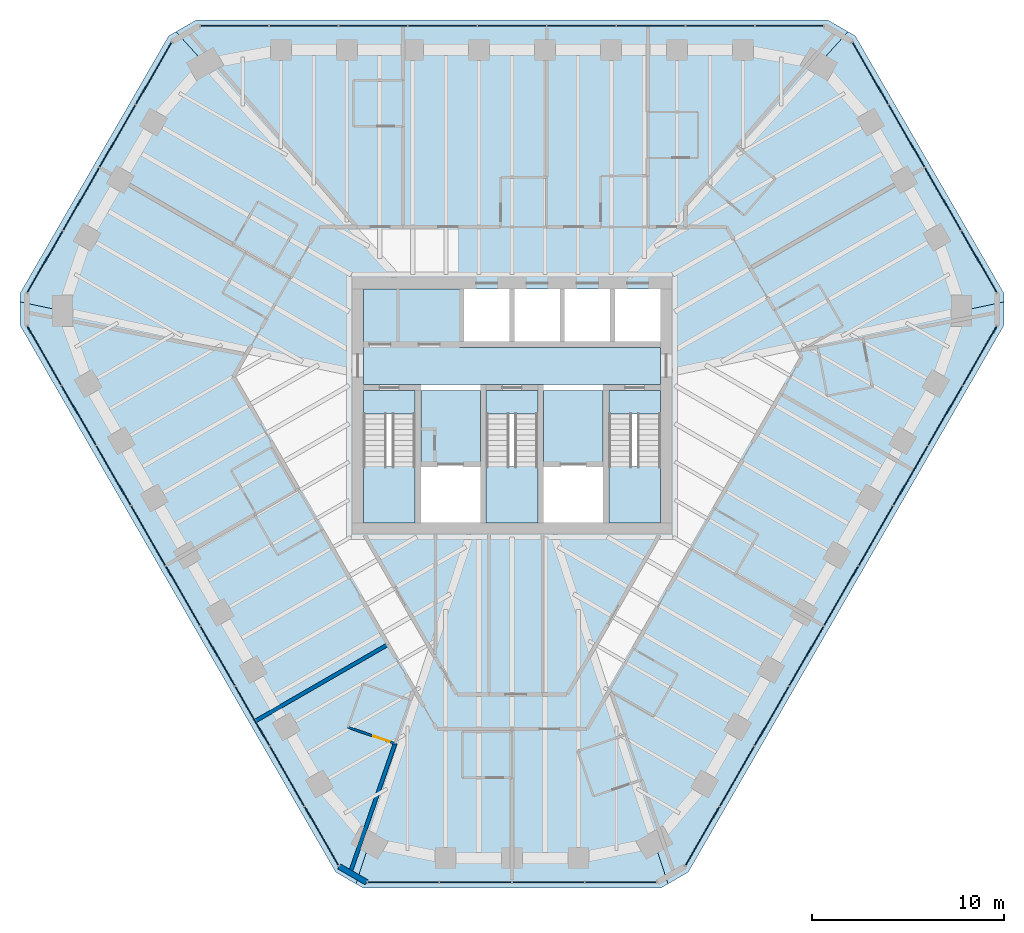
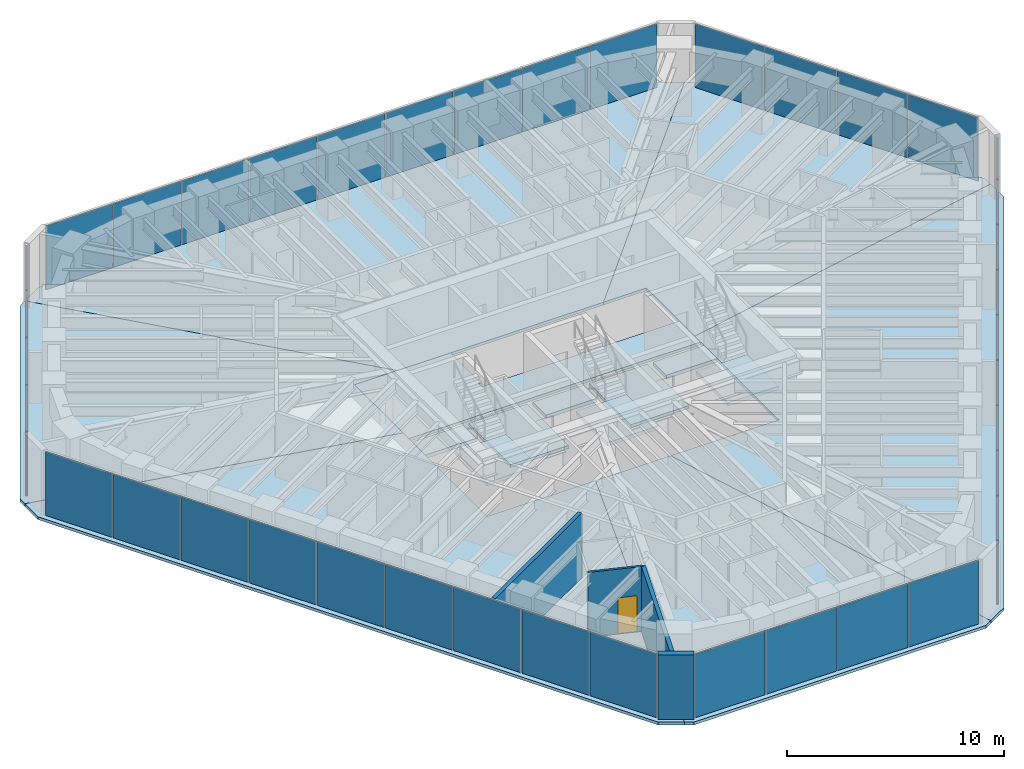
# One storey, part 8 of 14: 39 plates, 15 slabs, 4 walls, 1 door, 1 opening, 9 elements without a shape of their own.
"""IFC4 building model written with IfcOpenShell, lengths in metres."""

from ifc_helpers import new_model, si_unit, direction, frame, frame_2d, origin, origin_2d, place, context, subcontext, project, spatial, polyline, rectangle, outline, extrude, material, layer, layer_set, type_object, element, fill, aggregate, save


model = new_model("IFC4")

# Units and contexts
model_context = context("Model", 3, precision=1e-05, world=origin(), true_north=direction((0.0, 1.0)))
body_context = subcontext(model_context, "Body", "Model", "MODEL_VIEW")
ifc_project = project(units=[si_unit("LENGTHUNIT", "METRE"), si_unit("AREAUNIT", "SQUARE_METRE"), si_unit("VOLUMEUNIT", "CUBIC_METRE"), si_unit("PLANEANGLEUNIT", "RADIAN"), si_unit("MASSUNIT", "GRAM", prefix="KILO")], contexts=[model_context])

# Site, building, storey
site_placement = place(None, origin())
site = spatial("IfcSite", under=ifc_project, at=site_placement, CompositionType="ELEMENT")
building_placement = place(site_placement, origin())
building = spatial("IfcBuilding", under=site, at=building_placement, Name="Sandreach Pilgrim Tower", CompositionType="ELEMENT")
storey_placement = place(building_placement, frame((0.0, 0.0, 272.199951171875)))
storey = spatial("IfcBuildingStorey", under=building, at=storey_placement, Name="L68", CompositionType="ELEMENT", Elevation=272.199951171875)

# Curtain wall, plates
ifc_material_1 = material(Name="Aluminium framed curtain wall", Category="aluminium")
curtain_wall_type = type_object("IfcCurtainWallType", Name="Suite tower curtain wall", PredefinedType="NOTDEFINED", material=ifc_material_1)
curtain_wall_1_placement = place(storey_placement, origin())
curtain_wall_1 = element("IfcCurtainWall", 1, at=curtain_wall_1_placement, inside=storey, type_object=curtain_wall_type, Name="CW-4 L68 N", PredefinedType="NOTDEFINED")
ifc_material_2 = material(Name="Insulating glass unit 16.76 laminated + 24 argon + 16.76 laminated", Category="glass")
ifc_layer_1 = layer(ifc_material_2, 0.05810546875)
ifc_layer_set_1 = layer_set([ifc_layer_1], Name="CW-4 panel")
plate_type = type_object("IfcPlateType", Name="CW-4 panel", PredefinedType="CURTAIN_PANEL", material=ifc_layer_set_1)
plate_1_placement = place(storey_placement, frame((-14.472412109375, 19.826416015625, 0.0), z_axis=(0.0, 0.0, 1.0), x_axis=(1.0, 0.0, 0.0)))
plate_1 = element("IfcPlate", 2, at=plate_1_placement, type_object=plate_type, Name="CW-4 panel 1", PredefinedType="CURTAIN_PANEL", context=body_context, shape_type="SweptSolid", body=[
    extrude(rectangle(XDim=3.531982421875, YDim=0.05810546875, at=origin_2d()), origin(), (0.0, 0.0, 1.0), 3.570068359375),
])
plate_2_placement = place(storey_placement, frame((-10.865478515625, 19.826416015625, 0.0), z_axis=(0.0, 0.0, 1.0), x_axis=(1.0, 0.0, 0.0)))
plate_2 = element("IfcPlate", 3, at=plate_2_placement, type_object=plate_type, Name="CW-4 panel 2", PredefinedType="CURTAIN_PANEL", context=body_context, shape_type="SweptSolid", body=[
    extrude(rectangle(XDim=3.561767578125, YDim=0.05810546875, at=origin_2d()), origin(), (0.0, 0.0, 1.0), 3.570068359375),
])
plate_3_placement = place(storey_placement, frame((-7.24365234375, 19.826416015625, 0.0), z_axis=(0.0, 0.0, 1.0), x_axis=(1.0, 0.0, 0.0)))
plate_3 = element("IfcPlate", 4, at=plate_3_placement, type_object=plate_type, Name="CW-4 panel 3", PredefinedType="CURTAIN_PANEL", context=body_context, shape_type="SweptSolid", body=[
    extrude(rectangle(XDim=3.561767578125, YDim=0.05810546875, at=origin_2d()), origin(), (0.0, 0.0, 1.0), 3.570068359375),
])
plate_4_placement = place(storey_placement, frame((-3.621826171875, 19.826416015625, 0.0), z_axis=(0.0, 0.0, 1.0), x_axis=(1.0, 0.0, 0.0)))
plate_4 = element("IfcPlate", 5, at=plate_4_placement, type_object=plate_type, Name="CW-4 panel 4", PredefinedType="CURTAIN_PANEL", context=body_context, shape_type="SweptSolid", body=[
    extrude(rectangle(XDim=3.561767578125, YDim=0.05810546875, at=origin_2d()), origin(), (0.0, 0.0, 1.0), 3.570068359375),
])
plate_5_placement = place(storey_placement, frame((0.0, 19.826416015625, 0.0), z_axis=(0.0, 0.0, 1.0), x_axis=(1.0, 0.0, 0.0)))
plate_5 = element("IfcPlate", 6, at=plate_5_placement, type_object=plate_type, Name="CW-4 panel 5", PredefinedType="CURTAIN_PANEL", context=body_context, shape_type="SweptSolid", body=[
    extrude(rectangle(XDim=3.561767578125, YDim=0.05810546875, at=origin_2d()), origin(), (0.0, 0.0, 1.0), 3.570068359375),
])
plate_6_placement = place(storey_placement, frame((3.621826171875, 19.826416015625, 0.0), z_axis=(0.0, 0.0, 1.0), x_axis=(1.0, 0.0, 0.0)))
plate_6 = element("IfcPlate", 7, at=plate_6_placement, type_object=plate_type, Name="CW-4 panel 6", PredefinedType="CURTAIN_PANEL", context=body_context, shape_type="SweptSolid", body=[
    extrude(rectangle(XDim=3.561767578125, YDim=0.05810546875, at=origin_2d()), origin(), (0.0, 0.0, 1.0), 3.570068359375),
])
plate_7_placement = place(storey_placement, frame((7.24365234375, 19.826416015625, 0.0), z_axis=(0.0, 0.0, 1.0), x_axis=(1.0, 0.0, 0.0)))
plate_7 = element("IfcPlate", 8, at=plate_7_placement, type_object=plate_type, Name="CW-4 panel 7", PredefinedType="CURTAIN_PANEL", context=body_context, shape_type="SweptSolid", body=[
    extrude(rectangle(XDim=3.561767578125, YDim=0.05810546875, at=origin_2d()), origin(), (0.0, 0.0, 1.0), 3.570068359375),
])
plate_8_placement = place(storey_placement, frame((10.865478515625, 19.826416015625, 0.0), z_axis=(0.0, 0.0, 1.0), x_axis=(1.0, 0.0, 0.0)))
plate_8 = element("IfcPlate", 9, at=plate_8_placement, type_object=plate_type, Name="CW-4 panel 8", PredefinedType="CURTAIN_PANEL", context=body_context, shape_type="SweptSolid", body=[
    extrude(rectangle(XDim=3.561767578125, YDim=0.05810546875, at=origin_2d()), origin(), (0.0, 0.0, 1.0), 3.570068359375),
])
plate_9_placement = place(storey_placement, frame((14.472412109375, 19.826416015625, 0.0), z_axis=(0.0, 0.0, 1.0), x_axis=(1.0, 0.0, 0.0)))
plate_9 = element("IfcPlate", 10, at=plate_9_placement, type_object=plate_type, Name="CW-4 panel 9", PredefinedType="CURTAIN_PANEL", context=body_context, shape_type="SweptSolid", body=[
    extrude(rectangle(XDim=3.531982421875, YDim=0.05810546875, at=origin_2d()), origin(), (0.0, 0.0, 1.0), 3.570068359375),
])
aggregate(curtain_wall_1, [plate_1, plate_2, plate_3, plate_4, plate_5, plate_6, plate_7, plate_8, plate_9])

curtain_wall_2_placement = place(storey_placement, origin())
curtain_wall_2 = element("IfcCurtainWall", 11, at=curtain_wall_2_placement, inside=storey, type_object=curtain_wall_type, Name="CW-4 L68 NE", PredefinedType="NOTDEFINED")
plate_10_placement = place(storey_placement, frame((18.69140625, 17.341552734375, 0.0), z_axis=(0.0, 0.0, 1.0), x_axis=(0.5, -0.866025403784, 0.0)))
plate_10 = element("IfcPlate", 12, at=plate_10_placement, type_object=plate_type, Name="CW-4 panel 1", PredefinedType="CURTAIN_PANEL", context=body_context, shape_type="SweptSolid", body=[
    extrude(rectangle(XDim=3.70166015625, YDim=0.05810546875, at=origin_2d()), origin(), (0.0, 0.0, 1.0), 3.570068359375),
])
plate_11_placement = place(storey_placement, frame((20.579833984375, 14.07080078125, 0.0), z_axis=(0.0, 0.0, 1.0), x_axis=(0.5, -0.866025403784, 0.0)))
plate_11 = element("IfcPlate", 13, at=plate_11_placement, type_object=plate_type, Name="CW-4 panel 2", PredefinedType="CURTAIN_PANEL", context=body_context, shape_type="SweptSolid", body=[
    extrude(rectangle(XDim=3.731689453125, YDim=0.05810546875, at=origin_2d()), origin(), (0.0, 0.0, 1.0), 3.570068359375),
])
plate_12_placement = place(storey_placement, frame((22.4755859375, 10.787109375, 0.0), z_axis=(0.0, 0.0, 1.0), x_axis=(0.5, -0.866025403784, 0.0)))
plate_12 = element("IfcPlate", 14, at=plate_12_placement, type_object=plate_type, Name="CW-4 panel 3", PredefinedType="CURTAIN_PANEL", context=body_context, shape_type="SweptSolid", body=[
    extrude(rectangle(XDim=3.731689453125, YDim=0.05810546875, at=origin_2d()), origin(), (0.0, 0.0, 1.0), 3.570068359375),
])
plate_13_placement = place(storey_placement, frame((24.364013671875, 7.516357421875, 0.0), z_axis=(0.0, 0.0, 1.0), x_axis=(0.5, -0.866025403784, 0.0)))
plate_13 = element("IfcPlate", 15, at=plate_13_placement, type_object=plate_type, Name="CW-4 panel 4", PredefinedType="CURTAIN_PANEL", context=body_context, shape_type="SweptSolid", body=[
    extrude(rectangle(XDim=3.70166015625, YDim=0.05810546875, at=origin_2d()), origin(), (0.0, 0.0, 1.0), 3.570068359375),
])
aggregate(curtain_wall_2, [plate_10, plate_11, plate_12, plate_13])

curtain_wall_3_placement = place(storey_placement, origin())
curtain_wall_3 = element("IfcCurtainWall", 16, at=curtain_wall_3_placement, inside=storey, type_object=curtain_wall_type, Name="CW-4 L68 SE", PredefinedType="NOTDEFINED")
plate_14_placement = place(storey_placement, frame((24.406494140625, 2.620361328125, 0.0), z_axis=(0.0, 0.0, 1.0), x_axis=(-0.5, -0.866025403784, 0.0)))
plate_14 = element("IfcPlate", 17, at=plate_14_placement, type_object=plate_type, Name="CW-4 panel 1", PredefinedType="CURTAIN_PANEL", context=body_context, shape_type="SweptSolid", body=[
    extrude(rectangle(XDim=3.531982421875, YDim=0.05810546875, at=origin_2d()), origin(), (0.0, 0.0, 1.0), 3.570068359375),
])
plate_15_placement = place(storey_placement, frame((22.60302734375, -0.50341796875, 0.0), z_axis=(0.0, 0.0, 1.0), x_axis=(-0.5, -0.866025403784, 0.0)))
plate_15 = element("IfcPlate", 18, at=plate_15_placement, type_object=plate_type, Name="CW-4 panel 2", PredefinedType="CURTAIN_PANEL", context=body_context, shape_type="SweptSolid", body=[
    extrude(rectangle(XDim=3.561767578125, YDim=0.05810546875, at=origin_2d()), origin(), (0.0, 0.0, 1.0), 3.570068359375),
])
plate_16_placement = place(storey_placement, frame((20.7919921875, -3.639892578125, 0.0), z_axis=(0.0, 0.0, 1.0), x_axis=(-0.5, -0.866025403784, 0.0)))
plate_16 = element("IfcPlate", 19, at=plate_16_placement, type_object=plate_type, Name="CW-4 panel 3", PredefinedType="CURTAIN_PANEL", context=body_context, shape_type="SweptSolid", body=[
    extrude(rectangle(XDim=3.561767578125, YDim=0.05810546875, at=origin_2d()), origin(), (0.0, 0.0, 1.0), 3.570068359375),
])
plate_17_placement = place(storey_placement, frame((18.981201171875, -6.776611328125, 0.0), z_axis=(0.0, 0.0, 1.0), x_axis=(-0.5, -0.866025403784, 0.0)))
plate_17 = element("IfcPlate", 20, at=plate_17_placement, type_object=plate_type, Name="CW-4 panel 4", PredefinedType="CURTAIN_PANEL", context=body_context, shape_type="SweptSolid", body=[
    extrude(rectangle(XDim=3.561767578125, YDim=0.05810546875, at=origin_2d()), origin(), (0.0, 0.0, 1.0), 3.570068359375),
])
plate_18_placement = place(storey_placement, frame((17.170166015625, -9.913330078125, 0.0), z_axis=(0.0, 0.0, 1.0), x_axis=(-0.5, -0.866025403784, 0.0)))
plate_18 = element("IfcPlate", 21, at=plate_18_placement, type_object=plate_type, Name="CW-4 panel 5", PredefinedType="CURTAIN_PANEL", context=body_context, shape_type="SweptSolid", body=[
    extrude(rectangle(XDim=3.561767578125, YDim=0.05810546875, at=origin_2d()), origin(), (0.0, 0.0, 1.0), 3.570068359375),
])
plate_19_placement = place(storey_placement, frame((15.359375, -13.0498046875, 0.0), z_axis=(0.0, 0.0, 1.0), x_axis=(-0.5, -0.866025403784, 0.0)))
plate_19 = element("IfcPlate", 22, at=plate_19_placement, type_object=plate_type, Name="CW-4 panel 6", PredefinedType="CURTAIN_PANEL", context=body_context, shape_type="SweptSolid", body=[
    extrude(rectangle(XDim=3.561767578125, YDim=0.05810546875, at=origin_2d()), origin(), (0.0, 0.0, 1.0), 3.570068359375),
])
plate_20_placement = place(storey_placement, frame((13.54833984375, -16.1865234375, 0.0), z_axis=(0.0, 0.0, 1.0), x_axis=(-0.5, -0.866025403784, 0.0)))
plate_20 = element("IfcPlate", 23, at=plate_20_placement, type_object=plate_type, Name="CW-4 panel 7", PredefinedType="CURTAIN_PANEL", context=body_context, shape_type="SweptSolid", body=[
    extrude(rectangle(XDim=3.561767578125, YDim=0.05810546875, at=origin_2d()), origin(), (0.0, 0.0, 1.0), 3.570068359375),
])
plate_21_placement = place(storey_placement, frame((11.7373046875, -19.322998046875, 0.0), z_axis=(0.0, 0.0, 1.0), x_axis=(-0.5, -0.866025403784, 0.0)))
plate_21 = element("IfcPlate", 24, at=plate_21_placement, type_object=plate_type, Name="CW-4 panel 8", PredefinedType="CURTAIN_PANEL", context=body_context, shape_type="SweptSolid", body=[
    extrude(rectangle(XDim=3.561767578125, YDim=0.05810546875, at=origin_2d()), origin(), (0.0, 0.0, 1.0), 3.570068359375),
])
plate_22_placement = place(storey_placement, frame((9.93408203125, -22.44677734375, 0.0), z_axis=(0.0, 0.0, 1.0), x_axis=(-0.5, -0.866025403784, 0.0)))
plate_22 = element("IfcPlate", 25, at=plate_22_placement, type_object=plate_type, Name="CW-4 panel 9", PredefinedType="CURTAIN_PANEL", context=body_context, shape_type="SweptSolid", body=[
    extrude(rectangle(XDim=3.531982421875, YDim=0.05810546875, at=origin_2d()), origin(), (0.0, 0.0, 1.0), 3.570068359375),
])
aggregate(curtain_wall_3, [plate_14, plate_15, plate_16, plate_17, plate_18, plate_19, plate_20, plate_21, plate_22])

curtain_wall_4_placement = place(storey_placement, origin())
curtain_wall_4 = element("IfcCurtainWall", 26, at=curtain_wall_4_placement, inside=storey, type_object=curtain_wall_type, Name="CW-4 L68 S", PredefinedType="NOTDEFINED")
plate_23_placement = place(storey_placement, frame((5.672607421875, -24.858154296875, 0.0), z_axis=(0.0, 0.0, 1.0), x_axis=(-1.0, 0.0, 0.0)))
plate_23 = element("IfcPlate", 27, at=plate_23_placement, type_object=plate_type, Name="CW-4 panel 1", PredefinedType="CURTAIN_PANEL", context=body_context, shape_type="SweptSolid", body=[
    extrude(rectangle(XDim=3.70166015625, YDim=0.05810546875, at=origin_2d()), origin(), (0.0, 0.0, 1.0), 3.570068359375),
])
plate_24_placement = place(storey_placement, frame((1.895751953125, -24.858154296875, 0.0), z_axis=(0.0, 0.0, 1.0), x_axis=(-1.0, 0.0, 0.0)))
plate_24 = element("IfcPlate", 28, at=plate_24_placement, type_object=plate_type, Name="CW-4 panel 2", PredefinedType="CURTAIN_PANEL", context=body_context, shape_type="SweptSolid", body=[
    extrude(rectangle(XDim=3.731689453125, YDim=0.05810546875, at=origin_2d()), origin(), (0.0, 0.0, 1.0), 3.570068359375),
])
plate_25_placement = place(storey_placement, frame((-1.895751953125, -24.858154296875, 0.0), z_axis=(0.0, 0.0, 1.0), x_axis=(-1.0, 0.0, 0.0)))
plate_25 = element("IfcPlate", 29, at=plate_25_placement, type_object=plate_type, Name="CW-4 panel 3", PredefinedType="CURTAIN_PANEL", context=body_context, shape_type="SweptSolid", body=[
    extrude(rectangle(XDim=3.731689453125, YDim=0.05810546875, at=origin_2d()), origin(), (0.0, 0.0, 1.0), 3.570068359375),
])
plate_26_placement = place(storey_placement, frame((-5.672607421875, -24.858154296875, 0.0), z_axis=(0.0, 0.0, 1.0), x_axis=(-1.0, 0.0, 0.0)))
plate_26 = element("IfcPlate", 30, at=plate_26_placement, type_object=plate_type, Name="CW-4 panel 4", PredefinedType="CURTAIN_PANEL", context=body_context, shape_type="SweptSolid", body=[
    extrude(rectangle(XDim=3.70166015625, YDim=0.05810546875, at=origin_2d()), origin(), (0.0, 0.0, 1.0), 3.570068359375),
])
aggregate(curtain_wall_4, [plate_23, plate_24, plate_25, plate_26])

curtain_wall_5_placement = place(storey_placement, origin())
curtain_wall_5 = element("IfcCurtainWall", 31, at=curtain_wall_5_placement, inside=storey, type_object=curtain_wall_type, Name="CW-4 L68 SW", PredefinedType="NOTDEFINED")
plate_27_placement = place(storey_placement, frame((-9.93408203125, -22.44677734375, 0.0), z_axis=(0.0, 0.0, 1.0), x_axis=(-0.5, 0.866025403784, 0.0)))
plate_27 = element("IfcPlate", 32, at=plate_27_placement, type_object=plate_type, Name="CW-4 panel 1", PredefinedType="CURTAIN_PANEL", context=body_context, shape_type="SweptSolid", body=[
    extrude(rectangle(XDim=3.531982421875, YDim=0.05810546875, at=origin_2d()), origin(), (0.0, 0.0, 1.0), 3.570068359375),
])
plate_28_placement = place(storey_placement, frame((-11.7373046875, -19.322998046875, 0.0), z_axis=(0.0, 0.0, 1.0), x_axis=(-0.5, 0.866025403784, 0.0)))
plate_28 = element("IfcPlate", 33, at=plate_28_placement, type_object=plate_type, Name="CW-4 panel 2", PredefinedType="CURTAIN_PANEL", context=body_context, shape_type="SweptSolid", body=[
    extrude(rectangle(XDim=3.561767578125, YDim=0.05810546875, at=origin_2d()), origin(), (0.0, 0.0, 1.0), 3.570068359375),
])
plate_29_placement = place(storey_placement, frame((-13.54833984375, -16.1865234375, 0.0), z_axis=(0.0, 0.0, 1.0), x_axis=(-0.5, 0.866025403784, 0.0)))
plate_29 = element("IfcPlate", 34, at=plate_29_placement, type_object=plate_type, Name="CW-4 panel 3", PredefinedType="CURTAIN_PANEL", context=body_context, shape_type="SweptSolid", body=[
    extrude(rectangle(XDim=3.561767578125, YDim=0.05810546875, at=origin_2d()), origin(), (0.0, 0.0, 1.0), 3.570068359375),
])
plate_30_placement = place(storey_placement, frame((-15.359375, -13.0498046875, 0.0), z_axis=(0.0, 0.0, 1.0), x_axis=(-0.5, 0.866025403784, 0.0)))
plate_30 = element("IfcPlate", 35, at=plate_30_placement, type_object=plate_type, Name="CW-4 panel 4", PredefinedType="CURTAIN_PANEL", context=body_context, shape_type="SweptSolid", body=[
    extrude(rectangle(XDim=3.561767578125, YDim=0.05810546875, at=origin_2d()), origin(), (0.0, 0.0, 1.0), 3.570068359375),
])
plate_31_placement = place(storey_placement, frame((-17.170166015625, -9.913330078125, 0.0), z_axis=(0.0, 0.0, 1.0), x_axis=(-0.5, 0.866025403784, 0.0)))
plate_31 = element("IfcPlate", 36, at=plate_31_placement, type_object=plate_type, Name="CW-4 panel 5", PredefinedType="CURTAIN_PANEL", context=body_context, shape_type="SweptSolid", body=[
    extrude(rectangle(XDim=3.561767578125, YDim=0.05810546875, at=origin_2d()), origin(), (0.0, 0.0, 1.0), 3.570068359375),
])
plate_32_placement = place(storey_placement, frame((-18.981201171875, -6.776611328125, 0.0), z_axis=(0.0, 0.0, 1.0), x_axis=(-0.5, 0.866025403784, 0.0)))
plate_32 = element("IfcPlate", 37, at=plate_32_placement, type_object=plate_type, Name="CW-4 panel 6", PredefinedType="CURTAIN_PANEL", context=body_context, shape_type="SweptSolid", body=[
    extrude(rectangle(XDim=3.561767578125, YDim=0.05810546875, at=origin_2d()), origin(), (0.0, 0.0, 1.0), 3.570068359375),
])
plate_33_placement = place(storey_placement, frame((-20.7919921875, -3.639892578125, 0.0), z_axis=(0.0, 0.0, 1.0), x_axis=(-0.5, 0.866025403784, 0.0)))
plate_33 = element("IfcPlate", 38, at=plate_33_placement, type_object=plate_type, Name="CW-4 panel 7", PredefinedType="CURTAIN_PANEL", context=body_context, shape_type="SweptSolid", body=[
    extrude(rectangle(XDim=3.561767578125, YDim=0.05810546875, at=origin_2d()), origin(), (0.0, 0.0, 1.0), 3.570068359375),
])
plate_34_placement = place(storey_placement, frame((-22.60302734375, -0.50341796875, 0.0), z_axis=(0.0, 0.0, 1.0), x_axis=(-0.5, 0.866025403784, 0.0)))
plate_34 = element("IfcPlate", 39, at=plate_34_placement, type_object=plate_type, Name="CW-4 panel 8", PredefinedType="CURTAIN_PANEL", context=body_context, shape_type="SweptSolid", body=[
    extrude(rectangle(XDim=3.561767578125, YDim=0.05810546875, at=origin_2d()), origin(), (0.0, 0.0, 1.0), 3.570068359375),
])
plate_35_placement = place(storey_placement, frame((-24.406494140625, 2.620361328125, 0.0), z_axis=(0.0, 0.0, 1.0), x_axis=(-0.5, 0.866025403784, 0.0)))
plate_35 = element("IfcPlate", 40, at=plate_35_placement, type_object=plate_type, Name="CW-4 panel 9", PredefinedType="CURTAIN_PANEL", context=body_context, shape_type="SweptSolid", body=[
    extrude(rectangle(XDim=3.531982421875, YDim=0.05810546875, at=origin_2d()), origin(), (0.0, 0.0, 1.0), 3.570068359375),
])
aggregate(curtain_wall_5, [plate_27, plate_28, plate_29, plate_30, plate_31, plate_32, plate_33, plate_34, plate_35])

curtain_wall_6_placement = place(storey_placement, origin())
curtain_wall_6 = element("IfcCurtainWall", 41, at=curtain_wall_6_placement, inside=storey, type_object=curtain_wall_type, Name="CW-4 L68 NW", PredefinedType="NOTDEFINED")
plate_36_placement = place(storey_placement, frame((-24.364013671875, 7.516357421875, 0.0), z_axis=(0.0, 0.0, 1.0), x_axis=(0.5, 0.866025403784, 0.0)))
plate_36 = element("IfcPlate", 42, at=plate_36_placement, type_object=plate_type, Name="CW-4 panel 1", PredefinedType="CURTAIN_PANEL", context=body_context, shape_type="SweptSolid", body=[
    extrude(rectangle(XDim=3.70166015625, YDim=0.05810546875, at=origin_2d()), origin(), (0.0, 0.0, 1.0), 3.570068359375),
])
plate_37_placement = place(storey_placement, frame((-22.4755859375, 10.787109375, 0.0), z_axis=(0.0, 0.0, 1.0), x_axis=(0.5, 0.866025403784, 0.0)))
plate_37 = element("IfcPlate", 43, at=plate_37_placement, type_object=plate_type, Name="CW-4 panel 2", PredefinedType="CURTAIN_PANEL", context=body_context, shape_type="SweptSolid", body=[
    extrude(rectangle(XDim=3.731689453125, YDim=0.05810546875, at=origin_2d()), origin(), (0.0, 0.0, 1.0), 3.570068359375),
])
plate_38_placement = place(storey_placement, frame((-20.579833984375, 14.07080078125, 0.0), z_axis=(0.0, 0.0, 1.0), x_axis=(0.5, 0.866025403784, 0.0)))
plate_38 = element("IfcPlate", 44, at=plate_38_placement, type_object=plate_type, Name="CW-4 panel 3", PredefinedType="CURTAIN_PANEL", context=body_context, shape_type="SweptSolid", body=[
    extrude(rectangle(XDim=3.731689453125, YDim=0.05810546875, at=origin_2d()), origin(), (0.0, 0.0, 1.0), 3.570068359375),
])
plate_39_placement = place(storey_placement, frame((-18.69140625, 17.341552734375, 0.0), z_axis=(0.0, 0.0, 1.0), x_axis=(0.5, 0.866025403784, 0.0)))
plate_39 = element("IfcPlate", 45, at=plate_39_placement, type_object=plate_type, Name="CW-4 panel 4", PredefinedType="CURTAIN_PANEL", context=body_context, shape_type="SweptSolid", body=[
    extrude(rectangle(XDim=3.70166015625, YDim=0.05810546875, at=origin_2d()), origin(), (0.0, 0.0, 1.0), 3.570068359375),
])
aggregate(curtain_wall_6, [plate_36, plate_37, plate_38, plate_39])

# Slabs
ifc_material_3 = material(Name="Concrete 8000 psi", Category="concrete")
ifc_layer_2 = layer(ifc_material_3, 0.159912109375)
ifc_layer_set_2 = layer_set([ifc_layer_2], Name="Composite floor slab 160")
slab_type_1 = type_object("IfcSlabType", Name="Composite floor slab 160", PredefinedType="FLOOR", material=ifc_layer_set_2)
slab_1_placement = place(storey_placement, frame((0.0, 0.0, -0.159912109375)))
element("IfcSlab", 46, at=slab_1_placement, inside=storey, type_object=slab_type_1, Name="Floor slab L68 N sector", PredefinedType="FLOOR", context=body_context, shape_type="SweptSolid", body=[
    extrude(outline(polyline([(-16.4716796875, 20.12646484375), (16.4716796875, 20.12646484375), (17.52587890625, 19.517822265625), (5.477294921875, 6.10009765625), (-5.477294921875, 6.10009765625), (-17.52587890625, 19.517822265625), (-16.4716796875, 20.12646484375)])), origin(), (0.0, 0.0, 1.0), 0.159912109375),
])
slab_2_placement = place(storey_placement, frame((0.0, 0.0, -0.159912109375)))
element("IfcSlab", 47, at=slab_2_placement, inside=storey, type_object=slab_type_1, Name="Floor slab L68 NE sector", PredefinedType="FLOOR", context=body_context, shape_type="SweptSolid", body=[
    extrude(outline(polyline([(17.9091796875, 19.29638671875), (25.665771484375, 5.861572265625), (25.665771484375, 5.4189453125), (7.75, 1.63623046875), (7.75, 6.10009765625), (5.477294921875, 6.10009765625), (17.52587890625, 19.517822265625), (17.9091796875, 19.29638671875)])), origin(), (0.0, 0.0, 1.0), 0.159912109375),
])
slab_3_placement = place(storey_placement, frame((0.0, 0.0, -0.159912109375)))
element("IfcSlab", 48, at=slab_3_placement, inside=storey, type_object=slab_type_1, Name="Floor slab L68 SE sector", PredefinedType="FLOOR", context=body_context, shape_type="SweptSolid", body=[
    extrude(outline(polyline([(25.665771484375, 4.20166015625), (9.194091796875, -24.327880859375), (8.139892578125, -24.936767578125), (1.9912109375, -6.10009765625), (7.75, -6.10009765625), (7.75, 1.63623046875), (25.665771484375, 5.4189453125), (25.665771484375, 4.20166015625)])), origin(), (0.0, 0.0, 1.0), 0.159912109375),
])
slab_4_placement = place(storey_placement, frame((0.0, 0.0, -0.159912109375)))
element("IfcSlab", 49, at=slab_4_placement, inside=storey, type_object=slab_type_1, Name="Floor slab L68 S sector", PredefinedType="FLOOR", context=body_context, shape_type="SweptSolid", body=[
    extrude(outline(polyline([(7.756591796875, -25.157958984375), (-7.756591796875, -25.157958984375), (-8.139892578125, -24.936767578125), (-1.9912109375, -6.10009765625), (1.9912109375, -6.10009765625), (8.139892578125, -24.936767578125), (7.756591796875, -25.157958984375)])), origin(), (0.0, 0.0, 1.0), 0.159912109375),
])
slab_5_placement = place(storey_placement, frame((0.0, 0.0, -0.159912109375)))
element("IfcSlab", 50, at=slab_5_placement, inside=storey, type_object=slab_type_1, Name="Floor slab L68 SW sector", PredefinedType="FLOOR", context=body_context, shape_type="SweptSolid", body=[
    extrude(outline(polyline([(-9.194091796875, -24.327880859375), (-25.665771484375, 4.20166015625), (-25.665771484375, 5.4189453125), (-7.75, 1.63623046875), (-7.75, -6.10009765625), (-1.9912109375, -6.10009765625), (-8.139892578125, -24.936767578125), (-9.194091796875, -24.327880859375)])), origin(), (0.0, 0.0, 1.0), 0.159912109375),
])
slab_6_placement = place(storey_placement, frame((0.0, 0.0, -0.159912109375)))
element("IfcSlab", 51, at=slab_6_placement, inside=storey, type_object=slab_type_1, Name="Floor slab L68 NW sector", PredefinedType="FLOOR", context=body_context, shape_type="SweptSolid", body=[
    extrude(outline(polyline([(-25.665771484375, 5.861572265625), (-17.9091796875, 19.29638671875), (-17.52587890625, 19.517822265625), (-5.477294921875, 6.10009765625), (-7.75, 6.10009765625), (-7.75, 1.63623046875), (-25.665771484375, 5.4189453125), (-25.665771484375, 5.861572265625)])), origin(), (0.0, 0.0, 1.0), 0.159912109375),
])
slab_7_placement = place(storey_placement, frame((0.0, 0.0, -0.159912109375)))
element("IfcSlab", 52, at=slab_7_placement, inside=storey, type_object=slab_type_1, Name="Core floor slab L68", PredefinedType="FLOOR", context=body_context, shape_type="SweptSolid", body=[
    extrude(outline(polyline([(-2.75, 3.35009765625), (-2.75, 3.050048828125), (-0.125, 3.050048828125), (0.125, 3.050048828125), (2.5, 3.050048828125), (2.75, 3.050048828125), (5.125, 3.050048828125), (5.375, 3.050048828125), (7.75, 3.050048828125), (7.75, 1.10009765625), (5.050048828125, 1.10009765625), (4.75, 1.10009765625), (1.64990234375, 1.10009765625), (1.35009765625, 1.10009765625), (-1.35009765625, 1.10009765625), (-1.64990234375, 1.10009765625), (-4.75, 1.10009765625), (-5.050048828125, 1.10009765625), (-7.75, 1.10009765625), (-7.75, 6.10009765625), (-2.64990234375, 6.10009765625), (-2.64990234375, 3.35009765625), (-2.75, 3.35009765625)])), origin(), (0.0, 0.0, 1.0), 0.159912109375),
])
slab_8_placement = place(storey_placement, frame((0.0, 0.0, -0.159912109375)))
element("IfcSlab", 53, at=slab_8_placement, inside=storey, type_object=slab_type_1, Name="Core floor slab L68 2", PredefinedType="FLOOR", context=body_context, shape_type="SweptSolid", body=[
    extrude(outline(polyline([(-1.64990234375, -3.050048828125), (-4.75, -3.050048828125), (-4.75, 0.800048828125), (-1.64990234375, 0.800048828125), (-1.64990234375, -3.050048828125)])), origin(), (0.0, 0.0, 1.0), 0.159912109375),
])
slab_9_placement = place(storey_placement, frame((0.0, 0.0, -0.159912109375)))
element("IfcSlab", 54, at=slab_9_placement, inside=storey, type_object=slab_type_1, Name="Core floor slab L68 3", PredefinedType="FLOOR", context=body_context, shape_type="SweptSolid", body=[
    extrude(outline(polyline([(4.75, -3.050048828125), (1.64990234375, -3.050048828125), (1.64990234375, 0.800048828125), (4.75, 0.800048828125), (4.75, -3.050048828125)])), origin(), (0.0, 0.0, 1.0), 0.159912109375),
])

# Stair, slabs
ifc_material_4 = material(Name="Concrete 8000 psi", Category="concrete")
stair_type = type_object("IfcStairType", Name="Core exit stair", PredefinedType="HALF_TURN_STAIR", material=ifc_material_4)
stair_1_placement = place(storey_placement, origin())
stair_1 = element("IfcStair", 55, at=stair_1_placement, inside=storey, type_object=stair_type, Name="Exit stair ST1 L68", PredefinedType="HALF_TURN_STAIR")
ifc_material_5 = material(Name="Concrete 8000 psi", Category="concrete")
ifc_layer_3 = layer(ifc_material_5, 0.199951171875)
ifc_layer_set_3 = layer_set([ifc_layer_3], Name="Core stair landing 200")
slab_type_2 = type_object("IfcSlabType", Name="Core stair landing 200", PredefinedType="LANDING", material=ifc_layer_set_3)
slab_10_placement = place(storey_placement, frame((0.0, 0.0, -0.199951171875)))
slab_10 = element("IfcSlab", 56, at=slab_10_placement, type_object=slab_type_2, Name="ST1 landing 1", PredefinedType="LANDING", context=body_context, shape_type="SweptSolid", body=[
    extrude(outline(polyline([(-7.75, -0.425048828125), (-5.050048828125, -0.425048828125), (-5.050048828125, 0.800048828125), (-7.75, 0.800048828125), (-7.75, -0.425048828125)])), origin(), (0.0, 0.0, 1.0), 0.199951171875),
])
slab_11_placement = place(storey_placement, frame((0.0, 0.0, 1.699951171875)))
slab_11 = element("IfcSlab", 57, at=slab_11_placement, type_object=slab_type_2, Name="ST1 landing 2", PredefinedType="LANDING", context=body_context, shape_type="SweptSolid", body=[
    extrude(outline(polyline([(-7.75, -6.10009765625), (-5.050048828125, -6.10009765625), (-5.050048828125, -3.175048828125), (-7.75, -3.175048828125), (-7.75, -6.10009765625)])), origin(), (0.0, 0.0, 1.0), 0.2001953125),
])
aggregate(stair_1, [slab_10, slab_11])

stair_2_placement = place(storey_placement, origin())
stair_2 = element("IfcStair", 58, at=stair_2_placement, inside=storey, type_object=stair_type, Name="Exit stair ST3 L68", PredefinedType="HALF_TURN_STAIR")
slab_12_placement = place(storey_placement, frame((0.0, 0.0, -0.199951171875)))
slab_12 = element("IfcSlab", 59, at=slab_12_placement, type_object=slab_type_2, Name="ST3 landing 1", PredefinedType="LANDING", context=body_context, shape_type="SweptSolid", body=[
    extrude(outline(polyline([(-1.35009765625, -0.425048828125), (1.35009765625, -0.425048828125), (1.35009765625, 0.800048828125), (-1.35009765625, 0.800048828125), (-1.35009765625, -0.425048828125)])), origin(), (0.0, 0.0, 1.0), 0.199951171875),
])
slab_13_placement = place(storey_placement, frame((0.0, 0.0, 1.699951171875)))
slab_13 = element("IfcSlab", 60, at=slab_13_placement, type_object=slab_type_2, Name="ST3 landing 2", PredefinedType="LANDING", context=body_context, shape_type="SweptSolid", body=[
    extrude(outline(polyline([(-1.35009765625, -6.10009765625), (1.35009765625, -6.10009765625), (1.35009765625, -3.175048828125), (-1.35009765625, -3.175048828125), (-1.35009765625, -6.10009765625)])), origin(), (0.0, 0.0, 1.0), 0.2001953125),
])
aggregate(stair_2, [slab_12, slab_13])

stair_3_placement = place(storey_placement, origin())
stair_3 = element("IfcStair", 61, at=stair_3_placement, inside=storey, type_object=stair_type, Name="Exit stair ST2 L68", PredefinedType="HALF_TURN_STAIR")
slab_14_placement = place(storey_placement, frame((0.0, 0.0, -0.199951171875)))
slab_14 = element("IfcSlab", 62, at=slab_14_placement, type_object=slab_type_2, Name="ST2 landing 1", PredefinedType="LANDING", context=body_context, shape_type="SweptSolid", body=[
    extrude(outline(polyline([(5.050048828125, -0.425048828125), (7.75, -0.425048828125), (7.75, 0.800048828125), (5.050048828125, 0.800048828125), (5.050048828125, -0.425048828125)])), origin(), (0.0, 0.0, 1.0), 0.199951171875),
])
slab_15_placement = place(storey_placement, frame((0.0, 0.0, 1.699951171875)))
slab_15 = element("IfcSlab", 63, at=slab_15_placement, type_object=slab_type_2, Name="ST2 landing 2", PredefinedType="LANDING", context=body_context, shape_type="SweptSolid", body=[
    extrude(outline(polyline([(5.050048828125, -6.10009765625), (7.75, -6.10009765625), (7.75, -3.175048828125), (5.050048828125, -3.175048828125), (5.050048828125, -6.10009765625)])), origin(), (0.0, 0.0, 1.0), 0.2001953125),
])
aggregate(stair_3, [slab_14, slab_15])

# Wall, opening, door
ifc_material_6 = material(Name="Moisture-resistant gypsum board on steel studs", Category="steel")
ifc_layer_4 = layer(ifc_material_6, 0.1201171875)
ifc_layer_set_4 = layer_set([ifc_layer_4], Name="Bathroom partition 120")
wall_type_1 = type_object("IfcWallType", Name="Bathroom partition 120", PredefinedType="PARTITIONING", material=ifc_layer_set_4)
wall_1_placement = place(storey_placement, frame((-8.56005859375, -16.77001953125, 0.0), z_axis=(0.0, 0.0, 1.0), x_axis=(0.94515546045, -0.326620813149, 0.0)))
wall_1 = element("IfcWall", 64, at=wall_1_placement, inside=storey, type_object=wall_type_1, Name="Bathroom partition L68-028", PredefinedType="PARTITIONING", context=body_context, shape_type="SweptSolid", body=[
    extrude(rectangle(XDim=2.602783203125, YDim=0.1201171875, at=frame_2d((1.30126953125, 0.0))), origin(), (0.0, 0.0, 1.0), 3.64013671875),
])
opening_placement = place(wall_1_placement, frame((1.402587890625, 0.0, 0.0)))
opening = element("IfcOpeningElement", 65, at=opening_placement, cuts=wall_1, Name="Opening D09-12B", PredefinedType="OPENING", context=body_context, shape_type="SweptSolid", body=[
    extrude(rectangle(XDim=0.89990234375, YDim=2.030029296875, at=frame_2d((0.449951171875, 1.01513671875))), frame((0.0, 0.06005859375, 0.0), z_axis=(0.0, -1.0, 0.0), x_axis=(1.0, 0.0, 0.0)), (0.0, 0.0, 1.0), 0.1201171875),
])
ifc_material_7 = material(Name="Timber door, steel frame", Category="steel")
door_type = type_object("IfcDoorType", Name="Bathroom door", OperationType="SINGLE_SWING_LEFT", PredefinedType="DOOR", material=ifc_material_7)
door_placement = place(opening_placement, origin())
door = element("IfcDoor", 66, at=door_placement, inside=storey, type_object=door_type, Name="Door 6812B", OperationType="SINGLE_SWING_RIGHT", OverallHeight=2.030029296875, OverallWidth=0.89990234375, PredefinedType="DOOR", context=body_context, shape_type="SweptSolid", body=[
    extrude(rectangle(XDim=0.89990234375, YDim=2.030029296875, at=frame_2d((0.449951171875, 1.01513671875))), frame((0.0, 0.02490234375, 0.0), z_axis=(0.0, -1.0, 0.0), x_axis=(1.0, 0.0, 0.0)), (0.0, 0.0, 1.0), 0.050048828125),
])
fill(opening, door)

# Walls
ifc_material_8 = material(Name="Double steel stud acoustic wall, gypsum board", Category="steel")
ifc_layer_5 = layer(ifc_material_8, 0.199951171875)
ifc_layer_set_5 = layer_set([ifc_layer_5], Name="Party wall 200")
wall_type_2 = type_object("IfcWallType", Name="Party wall 200", PredefinedType="PARTITIONING", material=ifc_layer_set_5)
wall_2_placement = place(storey_placement, frame((-13.3740234375, -16.43505859375, 0.0), z_axis=(0.0, 0.0, 1.0), x_axis=(0.866082379937, 0.499901301422, 0.0)))
element("IfcWall", 67, at=wall_2_placement, inside=storey, type_object=wall_type_2, Name="Party wall L68-014", PredefinedType="PARTITIONING", context=body_context, shape_type="SweptSolid", body=[
    extrude(rectangle(XDim=7.95654296875, YDim=0.199951171875, at=frame_2d((3.978271484375, 0.0))), origin(), (0.0, 0.0, 1.0), 3.64013671875),
])
wall_3_placement = place(storey_placement, frame((-8.4501953125, -24.381591796875, 0.0), z_axis=(0.0, 0.0, 1.0), x_axis=(0.328306316797, 0.944571311417, 0.0)))
element("IfcWall", 68, at=wall_3_placement, inside=storey, type_object=wall_type_2, Name="Party wall L68-029", PredefinedType="PARTITIONING", context=body_context, shape_type="SweptSolid", body=[
    extrude(rectangle(XDim=7.158203125, YDim=0.199951171875, at=frame_2d((3.5791015625, 0.0))), origin(), (0.0, 0.0, 1.0), 3.64013671875),
])
ifc_material_9 = material(Name="Terracotta rainscreen on concrete", Category="masonry")
ifc_layer_6 = layer(ifc_material_9, 0.300048828125)
ifc_layer_set_6 = layer_set([ifc_layer_6], Name="Terracotta chamfer pier")
wall_type_3 = type_object("IfcWallType", Name="Terracotta chamfer pier", PredefinedType="SOLIDWALL", material=ifc_layer_set_6)
wall_4_placement = place(storey_placement, frame((-7.58349609375, -24.858154296875, 0.0), z_axis=(0.0, 0.0, 1.0), x_axis=(-0.865989634427, 0.500061949227, 0.0)))
element("IfcWall", 69, at=wall_4_placement, inside=storey, type_object=wall_type_3, Name="Chamfer pier L68 S", PredefinedType="SOLIDWALL", context=body_context, shape_type="SweptSolid", body=[
    extrude(rectangle(XDim=1.659912109375, YDim=0.300048828125, at=frame_2d((0.830078125, 0.0))), origin(), (0.0, 0.0, 1.0), 3.64013671875),
])

save(model, "model.ifc")
